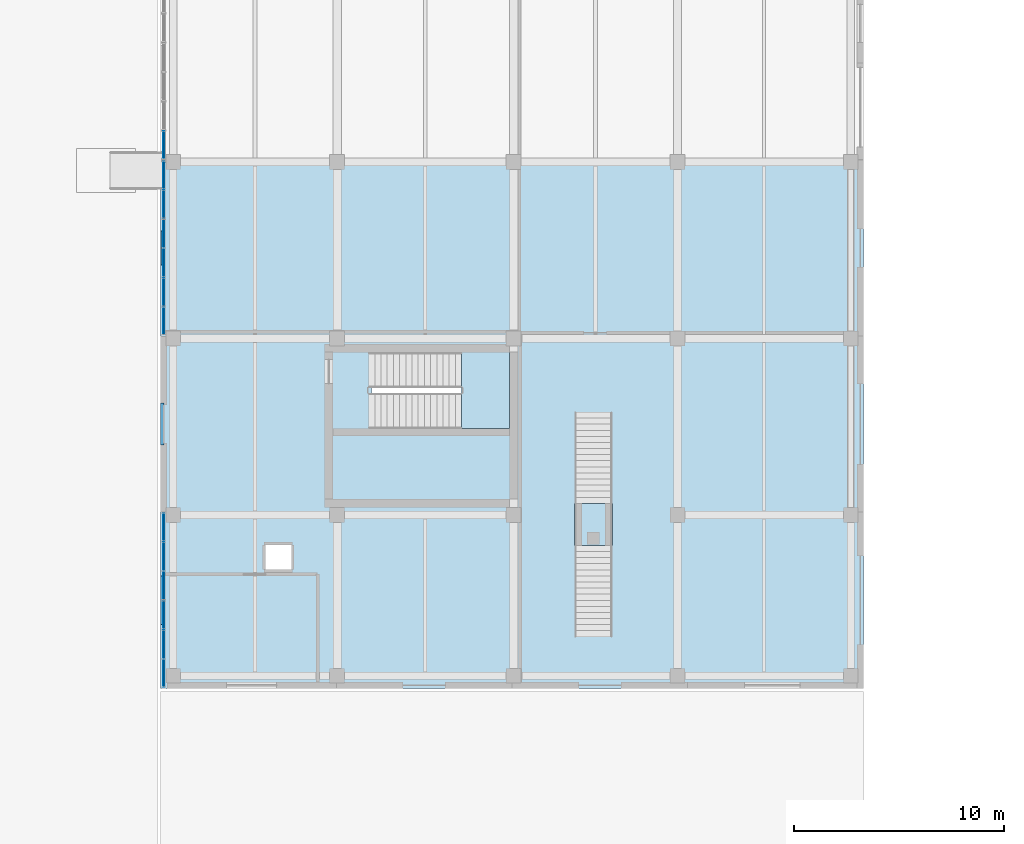
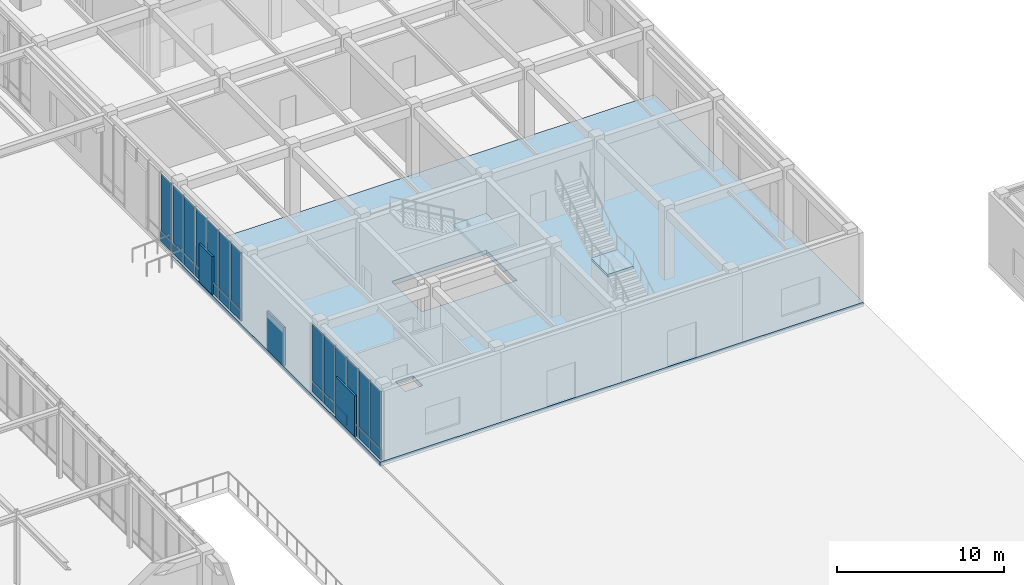
# One storey, part 82 of 122: 29 plates, 3 slabs, 5 elements without a shape of their own.
"""IFC4 building model written with IfcOpenShell, lengths in metres."""

import ifcopenshell
import ifcopenshell.guid

model = None  # the IFC model being written
_history = None  # IfcOwnerHistory: only IFC2X3 demands one
_inside = {}  # id of a spatial element -> (the spatial element, [elements in it])
_under = {}  # id of a project, library or spatial element -> (it, [spatial elements below it])
_declared = {}  # id of a project -> (the project, [libraries it declares])
_typed = {}  # id of a type object -> (the type object, [elements of that type])
_made_of = {}  # id of a material, layer set ... -> (it, [elements and type objects made of it])


def new_model(schema):
    """Start an empty IFC model of exactly this schema.

    Asked for "IFC4X3", IfcOpenShell would pick the latest addendum, in which some entities
    have other attributes; the version numbers below select the first issue.
    IFC2X3 requires an IfcOwnerHistory on every rooted entity: one is made here for all.
    """
    global model, _history
    if schema == "IFC4X3":
        model = ifcopenshell.file(schema_version=(4, 3, 0, 0))
    else:
        model = ifcopenshell.file(schema=schema)
    _inside.clear()
    _under.clear()
    _declared.clear()
    _typed.clear()
    _made_of.clear()
    _history = None
    if model.schema == "IFC2X3":
        org = make("IfcOrganization", Name="unknown")
        user = make(
            "IfcPersonAndOrganization",
            ThePerson=make("IfcPerson", FamilyName="unknown"),
            TheOrganization=org,
        )
        app = make(
            "IfcApplication",
            ApplicationDeveloper=org,
            Version="unknown",
            ApplicationFullName="unknown",
            ApplicationIdentifier="unknown",
        )
        _history = make(
            "IfcOwnerHistory",
            OwningUser=user,
            OwningApplication=app,
            ChangeAction="ADDED",
            CreationDate=0,
        )
    return model


def make(cls, **values):
    """One entity of the class cls with the attributes given. An attribute that is None is left unset."""
    return model.create_entity(
        cls, **{name: value for name, value in values.items() if value is not None}
    )


def rooted(cls, **values):
    """An entity with a GlobalId (a new one), such as an element, a storey or a relation."""
    return make(cls, GlobalId=ifcopenshell.guid.new(), OwnerHistory=_history, **values)


def si_unit(unit_type, name, prefix=None):
    """IfcSIUnit, for example si_unit("LENGTHUNIT", "METRE", prefix="MILLI")."""
    return make("IfcSIUnit", UnitType=unit_type, Prefix=prefix, Name=name)


def assignment(units):
    """IfcUnitAssignment: the units of a project."""
    return None if units is None else make("IfcUnitAssignment", Units=units)


def point(xyz):
    """IfcCartesianPoint."""
    return None if xyz is None else make("IfcCartesianPoint", Coordinates=xyz)


def direction(xyz):
    """IfcDirection."""
    return None if xyz is None else make("IfcDirection", DirectionRatios=xyz)


def frame(location, z_axis=None, x_axis=None):
    """IfcAxis2Placement3D, a coordinate frame: its origin and axes. An axis left out is left unset."""
    return make(
        "IfcAxis2Placement3D",
        Location=point(location),
        Axis=direction(z_axis),
        RefDirection=direction(x_axis),
    )


def frame_2d(location, x_axis=None):
    """IfcAxis2Placement2D, a coordinate frame in the plane: its origin and x axis."""
    return make(
        "IfcAxis2Placement2D", Location=point(location), RefDirection=direction(x_axis)
    )


def origin():
    """The frame at (0, 0, 0) with its axes left unset."""
    return frame((0.0, 0.0, 0.0))


def origin_2d():
    """The frame at (0, 0) in the plane with its x axis left unset."""
    return frame_2d((0.0, 0.0))


def place(relative_to, where):
    """IfcLocalPlacement: puts the frame where relative to a parent placement (None: the world)."""
    return make(
        "IfcLocalPlacement", PlacementRelTo=relative_to, RelativePlacement=where
    )


def context(
    kind, dimensions, precision=None, world=None, true_north=None, identifier=None
):
    """IfcGeometricRepresentationContext, for example the 3D "Model" context."""
    return make(
        "IfcGeometricRepresentationContext",
        ContextIdentifier=identifier,
        ContextType=kind,
        CoordinateSpaceDimension=dimensions,
        Precision=precision,
        WorldCoordinateSystem=world,
        TrueNorth=true_north,
    )


def subcontext(parent, identifier, kind, view, scale=None):
    """IfcGeometricRepresentationSubContext, for example "Body" below "Model"."""
    return make(
        "IfcGeometricRepresentationSubContext",
        ContextIdentifier=identifier,
        ContextType=kind,
        ParentContext=parent,
        TargetScale=scale,
        TargetView=view,
    )


def project(units=None, contexts=None):
    """IfcProject with its units and contexts."""
    return rooted(
        "IfcProject",
        Name="project",
        RepresentationContexts=contexts,
        UnitsInContext=assignment(units),
    )


def spatial(cls, under=None, at=None, **own):
    """A site, building, storey or space (cls), placed at a placement, below another one or the project."""
    s = rooted(cls, ObjectPlacement=at, **own)
    if under is not None:
        _under.setdefault(under.id(), (under, []))[1].append(s)
    return s


def polyline(points):
    """IfcPolyline through the points."""
    return make("IfcPolyline", Points=[point(p) for p in points])


def profile(cls, at=None, kind="AREA", **sizes):
    """A parametric profile (cls). Its sizes go by their IFC names, for example OverallWidth=200.0."""
    return make(cls, ProfileType=kind, Position=at, **sizes)


def rectangle(**sizes):
    """IfcRectangleProfileDef."""
    return profile("IfcRectangleProfileDef", **sizes)


def outline(outer, holes=None, kind="AREA"):
    """IfcArbitraryClosedProfileDef: a profile drawn as a closed curve; with holes, ...WithVoids."""
    if holes is None:
        return make("IfcArbitraryClosedProfileDef", ProfileType=kind, OuterCurve=outer)
    return make(
        "IfcArbitraryProfileDefWithVoids",
        ProfileType=kind,
        OuterCurve=outer,
        InnerCurves=holes,
    )


def extrude(swept, where, along, depth):
    """IfcExtrudedAreaSolid: the profile swept, set in the frame where, extruded along a direction by depth."""
    return make(
        "IfcExtrudedAreaSolid",
        SweptArea=swept,
        Position=where,
        ExtrudedDirection=direction(along),
        Depth=depth,
    )


def shape(context_of_items, identifier, shape_type, items):
    """IfcShapeRepresentation: the items that make up one representation, for example the "Body"."""
    return make(
        "IfcShapeRepresentation",
        ContextOfItems=context_of_items,
        RepresentationIdentifier=identifier,
        RepresentationType=shape_type,
        Items=items,
    )


def material(Name=None, Category=None):
    """IfcMaterial."""
    return make("IfcMaterial", Name=Name, Category=Category)


def layer(
    of_material, thickness, ventilated=None, Name=None, Category=None, Priority=None
):
    """IfcMaterialLayer: one layer of a wall or slab, of a material (None: an air gap)."""
    return make(
        "IfcMaterialLayer",
        Material=of_material,
        LayerThickness=thickness,
        IsVentilated=ventilated,
        Name=Name,
        Category=Category,
        Priority=Priority,
    )


def layer_set(layers, Name=None):
    """IfcMaterialLayerSet."""
    return make("IfcMaterialLayerSet", MaterialLayers=layers, LayerSetName=Name)


def made_of(thing, what):
    """Note that an element or type object is made of a material, layer set ...; save() writes the relation."""
    if what is not None:
        _made_of.setdefault(what.id(), (what, []))[1].append(thing)
    return thing


def type_object(cls, material=None, **own):
    """A type object (cls), such as IfcWallType, which elements share."""
    return made_of(rooted(cls, **own), material)


def element(
    cls,
    number,
    at=None,
    inside=None,
    cuts=None,
    type_object=None,
    material=None,
    context=None,
    identifier="Body",
    shape_type=None,
    held_by="IfcProductDefinitionShape",
    body=None,
    shapes=None,
    **own,
):
    """One element of the class cls, such as IfcWall. Its Tag is "e" and its number.

    at: its placement. inside: the storey or other place that contains it. cuts: it is an
    opening in that element (IfcRelVoidsElement). A single representation is given by context,
    identifier, shape_type and body (its items); several are given by shapes. held_by: the class
    of the entity that holds the representations. save() writes the other relations.
    """
    e = rooted(cls, Tag="e%d" % number, ObjectPlacement=at, **own)
    if body is not None:
        shapes = [shape(context, identifier, shape_type, body)]
    if shapes is not None:
        e.Representation = make(held_by, Representations=shapes)
    if inside is not None:
        _inside.setdefault(inside.id(), (inside, []))[1].append(e)
    if cuts is not None:
        rooted(
            "IfcRelVoidsElement", RelatingBuildingElement=cuts, RelatedOpeningElement=e
        )
    if type_object is not None:
        _typed.setdefault(type_object.id(), (type_object, []))[1].append(e)
    return made_of(e, material)


def aggregate(whole, parts):
    """IfcRelAggregates: a whole, such as a stair, and the parts it consists of."""
    return rooted("IfcRelAggregates", RelatingObject=whole, RelatedObjects=parts)


def save(model, path):
    """Write the relations noted so far, then the file.

    IfcRelAggregates (storeys below a building ...), IfcRelContainedInSpatialStructure (elements
    in a storey), IfcRelDefinesByType, IfcRelAssociatesMaterial and IfcRelDeclares: one each for
    every whole, place, type object, material and project.
    """
    for whole, parts in _under.values():
        aggregate(whole, parts)
    for where, things in _inside.values():
        rooted(
            "IfcRelContainedInSpatialStructure",
            RelatedElements=things,
            RelatingStructure=where,
        )
    for kind, things in _typed.values():
        rooted("IfcRelDefinesByType", RelatedObjects=things, RelatingType=kind)
    for what, things in _made_of.values():
        rooted("IfcRelAssociatesMaterial", RelatedObjects=things, RelatingMaterial=what)
    for by, libraries in _declared.values():
        rooted("IfcRelDeclares", RelatingContext=by, RelatedDefinitions=libraries)
    model.write(path)


model = new_model("IFC4")

# Units and contexts
model_context = context("Model", 3, precision=1e-05, world=origin(), true_north=direction((0.0, 1.0)))
body_context = subcontext(model_context, "Body", "Model", "MODEL_VIEW")
ifc_project = project(units=[si_unit("LENGTHUNIT", "METRE"), si_unit("AREAUNIT", "SQUARE_METRE"), si_unit("VOLUMEUNIT", "CUBIC_METRE"), si_unit("PLANEANGLEUNIT", "RADIAN"), si_unit("MASSUNIT", "GRAM", prefix="KILO")], contexts=[model_context])

# Site, building, storey
site_placement = place(None, origin())
site = spatial("IfcSite", under=ifc_project, at=site_placement, CompositionType="ELEMENT")
building_placement = place(site_placement, origin())
building = spatial("IfcBuilding", under=site, at=building_placement, Name="Zayran Congress Hotel", CompositionType="ELEMENT")
storey_placement = place(building_placement, origin())
storey = spatial("IfcBuildingStorey", under=building, at=storey_placement, Name="L00", CompositionType="ELEMENT", Elevation=0.0)

# Slab
ifc_material_1 = material(Name="Concrete C32/40", Category="concrete")
ifc_layer_1 = layer(ifc_material_1, 0.320068359375)
ifc_layer_set_1 = layer_set([ifc_layer_1], Name="Concrete C32/40")
slab_type_1 = type_object("IfcSlabType", Name="SL-PD-320", PredefinedType="FLOOR", material=ifc_layer_set_1)
slab_1_placement = place(storey_placement, frame((0.0, 0.0, -0.320068359375)))
element("IfcSlab", 1, at=slab_1_placement, inside=storey, type_object=slab_type_1, Name="SLB-V4-L00-017", PredefinedType="FLOOR", context=body_context, shape_type="SweptSolid", body=[
    extrude(outline(polyline([(109.199951171875, 42.550048828125), (142.64990234375, 42.550048828125), (142.64990234375, 67.60009765625), (109.199951171875, 67.60009765625), (109.199951171875, 42.550048828125)]), holes=[polyline([(119.239990234375, 54.909912109375), (125.800048828125, 54.909912109375), (125.800048828125, 58.550048828125), (119.239990234375, 58.550048828125), (119.239990234375, 54.909912109375)]), polyline([(114.199951171875, 48.199951171875), (115.419921875, 48.199951171875), (115.419921875, 49.3798828125), (114.199951171875, 49.3798828125), (114.199951171875, 48.199951171875)])]), origin(), (0.0, 0.0, 1.0), 0.320068359375),
])

# Plates
ifc_material_2 = material(Name="Ajlun reconstituted limestone claustra", Category="masonry")
ifc_layer_2 = layer(ifc_material_2, 0.14990234375)
ifc_layer_set_2 = layer_set([ifc_layer_2], Name="Ajlun reconstituted limestone claustra")
plate_type_1 = type_object("IfcPlateType", Name="TP-CLS-10", PredefinedType="USERDEFINED", material=ifc_layer_set_2)
plate_1_placement = place(storey_placement, frame((109.280029296875, 46.739990234375, 0.0), z_axis=(0.0, 0.0, 1.0), x_axis=(0.0, 1.0, 0.0)))
element("IfcPlate", 2, at=plate_1_placement, inside=storey, type_object=plate_type_1, Name="Pierced Claustra Screen 9", ObjectType="CLAUSTRA SCREEN", PredefinedType="USERDEFINED", context=body_context, shape_type="SweptSolid", body=[
    extrude(rectangle(XDim=2.300048828125, YDim=0.14990234375, at=origin_2d()), origin(), (0.0, 0.0, 1.0), 3.0),
])
ifc_layer_3 = layer(ifc_material_2, 0.14990234375)
ifc_layer_set_3 = layer_set([ifc_layer_3], Name="Ajlun reconstituted limestone claustra")
plate_type_2 = type_object("IfcPlateType", Name="TP-CLS-11", PredefinedType="USERDEFINED", material=ifc_layer_set_3)
plate_2_placement = place(storey_placement, frame((109.280029296875, 55.12109375, 0.0), z_axis=(0.0, 0.0, 1.0), x_axis=(0.0, 1.0, 0.0)))
element("IfcPlate", 3, at=plate_2_placement, inside=storey, type_object=plate_type_2, Name="Pierced Claustra Screen 10", ObjectType="CLAUSTRA SCREEN", PredefinedType="USERDEFINED", context=body_context, shape_type="SweptSolid", body=[
    extrude(rectangle(XDim=2.0, YDim=0.14990234375, at=origin_2d()), origin(), (0.0, 0.0, 1.0), 2.800048828125),
])
ifc_layer_4 = layer(ifc_material_2, 0.1201171875)
ifc_layer_set_4 = layer_set([ifc_layer_4], Name="Ajlun reconstituted limestone claustra")
plate_type_3 = type_object("IfcPlateType", Name="TP-CLS-12", PredefinedType="USERDEFINED", material=ifc_layer_set_4)
plate_3_placement = place(storey_placement, frame((109.280029296875, 63.5029296875, 0.0), z_axis=(0.0, 0.0, 1.0), x_axis=(0.0, 1.0, 0.0)))
element("IfcPlate", 4, at=plate_3_placement, inside=storey, type_object=plate_type_3, Name="Pierced Claustra Screen 11", ObjectType="CLAUSTRA SCREEN", PredefinedType="USERDEFINED", context=body_context, shape_type="SweptSolid", body=[
    extrude(rectangle(XDim=1.60009765625, YDim=0.1201171875, at=origin_2d()), origin(), (0.0, 0.0, 1.0), 2.800048828125),
])

# Curtain wall, plates
ifc_material_3 = material(Name="Anodised aluminium and low-E insulated glass", Category="aluminium")
ifc_layer_5 = layer(ifc_material_3, 0.179931640625)
ifc_layer_set_5 = layer_set([ifc_layer_5], Name="Anodised aluminium and low-E insulated glass")
curtain_wall_type_1 = type_object("IfcCurtainWallType", Name="CW-V4W-L00-CW-51-8381-5100", PredefinedType="USERDEFINED", material=ifc_layer_set_5)
curtain_wall_1_placement = place(storey_placement, origin())
curtain_wall_1 = element("IfcCurtainWall", 5, at=curtain_wall_1_placement, inside=storey, type_object=curtain_wall_type_1, Name="CW-V4W-L00-0", ObjectType="CURTAIN WALL", PredefinedType="USERDEFINED")
ifc_material_4 = material(Name="Insulated warm bronze aluminium spandrel panel", Category="aluminium")
ifc_layer_6 = layer(ifc_material_4, 0.06005859375)
ifc_layer_set_6 = layer_set([ifc_layer_6], Name="Insulated warm bronze aluminium spandrel panel")
plate_type_4 = type_object("IfcPlateType", Name="CWP-SP-1277-750", PredefinedType="CURTAIN_PANEL", material=ifc_layer_set_6)
plate_4_placement = place(storey_placement, frame((109.35009765625, 50.212646484375, 0.06005859375), z_axis=(0.0, 0.0, 1.0), x_axis=(0.0, 1.0, 0.0)))
plate_4 = element("IfcPlate", 6, at=plate_4_placement, type_object=plate_type_4, Name="CW-51 Spandrel Panel 1", PredefinedType="CURTAIN_PANEL", context=body_context, shape_type="SweptSolid", body=[
    extrude(rectangle(XDim=1.27685546875, YDim=0.06005859375, at=origin_2d()), origin(), (0.0, 0.0, 1.0), 0.75),
])
plate_5_placement = place(storey_placement, frame((109.35009765625, 48.835693359375, 0.06005859375), z_axis=(0.0, 0.0, 1.0), x_axis=(0.0, 1.0, 0.0)))
plate_5 = element("IfcPlate", 7, at=plate_5_placement, type_object=plate_type_4, Name="CW-51 Spandrel Panel 2", PredefinedType="CURTAIN_PANEL", context=body_context, shape_type="SweptSolid", body=[
    extrude(rectangle(XDim=1.31689453125, YDim=0.06005859375, at=origin_2d()), origin(), (0.0, 0.0, 1.0), 0.75),
])
plate_6_placement = place(storey_placement, frame((109.35009765625, 47.43896484375, 0.06005859375), z_axis=(0.0, 0.0, 1.0), x_axis=(0.0, 1.0, 0.0)))
plate_6 = element("IfcPlate", 8, at=plate_6_placement, type_object=plate_type_4, Name="CW-51 Spandrel Panel 3", PredefinedType="CURTAIN_PANEL", context=body_context, shape_type="SweptSolid", body=[
    extrude(rectangle(XDim=1.31689453125, YDim=0.06005859375, at=origin_2d()), origin(), (0.0, 0.0, 1.0), 0.75),
])
plate_7_placement = place(storey_placement, frame((109.35009765625, 46.0419921875, 0.06005859375), z_axis=(0.0, 0.0, 1.0), x_axis=(0.0, 1.0, 0.0)))
plate_7 = element("IfcPlate", 9, at=plate_7_placement, type_object=plate_type_4, Name="CW-51 Spandrel Panel 4", PredefinedType="CURTAIN_PANEL", context=body_context, shape_type="SweptSolid", body=[
    extrude(rectangle(XDim=1.31689453125, YDim=0.06005859375, at=origin_2d()), origin(), (0.0, 0.0, 1.0), 0.75),
])
plate_8_placement = place(storey_placement, frame((109.35009765625, 44.645263671875, 0.06005859375), z_axis=(0.0, 0.0, 1.0), x_axis=(0.0, 1.0, 0.0)))
plate_8 = element("IfcPlate", 10, at=plate_8_placement, type_object=plate_type_4, Name="CW-51 Spandrel Panel 5", PredefinedType="CURTAIN_PANEL", context=body_context, shape_type="SweptSolid", body=[
    extrude(rectangle(XDim=1.31689453125, YDim=0.06005859375, at=origin_2d()), origin(), (0.0, 0.0, 1.0), 0.75),
])
plate_9_placement = place(storey_placement, frame((109.35009765625, 43.268310546875, 0.06005859375), z_axis=(0.0, 0.0, 1.0), x_axis=(0.0, 1.0, 0.0)))
plate_9 = element("IfcPlate", 11, at=plate_9_placement, type_object=plate_type_4, Name="CW-51 Spandrel Panel 6", PredefinedType="CURTAIN_PANEL", context=body_context, shape_type="SweptSolid", body=[
    extrude(rectangle(XDim=1.27685546875, YDim=0.06005859375, at=origin_2d()), origin(), (0.0, 0.0, 1.0), 0.75),
])
ifc_layer_7 = layer(ifc_material_3, 0.028076171875)
ifc_layer_set_7 = layer_set([ifc_layer_7], Name="Anodised aluminium and low-E insulated glass")
plate_type_5 = type_object("IfcPlateType", Name="CWP-GL-1277-4170", PredefinedType="CURTAIN_PANEL", material=ifc_layer_set_7)
plate_10_placement = place(storey_placement, frame((109.35009765625, 50.212646484375, 0.8701171875), z_axis=(0.0, 0.0, 1.0), x_axis=(0.0, 1.0, 0.0)))
plate_10 = element("IfcPlate", 12, at=plate_10_placement, type_object=plate_type_5, Name="CW-51 Glazed Panel 1", PredefinedType="CURTAIN_PANEL", context=body_context, shape_type="SweptSolid", body=[
    extrude(rectangle(XDim=1.27685546875, YDim=0.028076171875, at=origin_2d()), origin(), (0.0, 0.0, 1.0), 4.169921875),
])
plate_11_placement = place(storey_placement, frame((109.35009765625, 48.835693359375, 0.8701171875), z_axis=(0.0, 0.0, 1.0), x_axis=(0.0, 1.0, 0.0)))
plate_11 = element("IfcPlate", 13, at=plate_11_placement, type_object=plate_type_5, Name="CW-51 Glazed Panel 2", PredefinedType="CURTAIN_PANEL", context=body_context, shape_type="SweptSolid", body=[
    extrude(rectangle(XDim=1.31689453125, YDim=0.028076171875, at=origin_2d()), origin(), (0.0, 0.0, 1.0), 4.169921875),
])
plate_12_placement = place(storey_placement, frame((109.35009765625, 47.43896484375, 0.8701171875), z_axis=(0.0, 0.0, 1.0), x_axis=(0.0, 1.0, 0.0)))
plate_12 = element("IfcPlate", 14, at=plate_12_placement, type_object=plate_type_5, Name="CW-51 Glazed Panel 3", PredefinedType="CURTAIN_PANEL", context=body_context, shape_type="SweptSolid", body=[
    extrude(rectangle(XDim=1.31689453125, YDim=0.028076171875, at=origin_2d()), origin(), (0.0, 0.0, 1.0), 4.169921875),
])
plate_13_placement = place(storey_placement, frame((109.35009765625, 46.0419921875, 0.8701171875), z_axis=(0.0, 0.0, 1.0), x_axis=(0.0, 1.0, 0.0)))
plate_13 = element("IfcPlate", 15, at=plate_13_placement, type_object=plate_type_5, Name="CW-51 Glazed Panel 4", PredefinedType="CURTAIN_PANEL", context=body_context, shape_type="SweptSolid", body=[
    extrude(rectangle(XDim=1.31689453125, YDim=0.028076171875, at=origin_2d()), origin(), (0.0, 0.0, 1.0), 4.169921875),
])
plate_14_placement = place(storey_placement, frame((109.35009765625, 44.645263671875, 0.8701171875), z_axis=(0.0, 0.0, 1.0), x_axis=(0.0, 1.0, 0.0)))
plate_14 = element("IfcPlate", 16, at=plate_14_placement, type_object=plate_type_5, Name="CW-51 Glazed Panel 5", PredefinedType="CURTAIN_PANEL", context=body_context, shape_type="SweptSolid", body=[
    extrude(rectangle(XDim=1.31689453125, YDim=0.028076171875, at=origin_2d()), origin(), (0.0, 0.0, 1.0), 4.169921875),
])
plate_15_placement = place(storey_placement, frame((109.35009765625, 43.268310546875, 0.8701171875), z_axis=(0.0, 0.0, 1.0), x_axis=(0.0, 1.0, 0.0)))
plate_15 = element("IfcPlate", 17, at=plate_15_placement, type_object=plate_type_5, Name="CW-51 Glazed Panel 6", PredefinedType="CURTAIN_PANEL", context=body_context, shape_type="SweptSolid", body=[
    extrude(rectangle(XDim=1.27685546875, YDim=0.028076171875, at=origin_2d()), origin(), (0.0, 0.0, 1.0), 4.169921875),
])
aggregate(curtain_wall_1, [plate_4, plate_10, plate_5, plate_11, plate_6, plate_12, plate_7, plate_13, plate_8, plate_14, plate_9, plate_15])

ifc_layer_8 = layer(ifc_material_3, 0.179931640625)
ifc_layer_set_8 = layer_set([ifc_layer_8], Name="Anodised aluminium and low-E insulated glass")
curtain_wall_type_2 = type_object("IfcCurtainWallType", Name="CW-V4W-L00-CW-53-8377-5100", PredefinedType="USERDEFINED", material=ifc_layer_set_8)
curtain_wall_2_placement = place(storey_placement, origin())
curtain_wall_2 = element("IfcCurtainWall", 18, at=curtain_wall_2_placement, inside=storey, type_object=curtain_wall_type_2, Name="CW-V4W-L00-2", ObjectType="CURTAIN WALL", PredefinedType="USERDEFINED")
ifc_layer_9 = layer(ifc_material_3, 0.028076171875)
ifc_layer_set_9 = layer_set([ifc_layer_9], Name="Anodised aluminium and low-E insulated glass")
plate_type_6 = type_object("IfcPlateType", Name="CWP-GL-1276-4170", PredefinedType="CURTAIN_PANEL", material=ifc_layer_set_9)
plate_16_placement = place(storey_placement, frame((109.35009765625, 66.970947265625, 0.8701171875), z_axis=(0.0, 0.0, 1.0), x_axis=(0.0, 1.0, 0.0)))
plate_16 = element("IfcPlate", 19, at=plate_16_placement, type_object=plate_type_6, Name="CW-53 Glazed Panel 1", PredefinedType="CURTAIN_PANEL", context=body_context, shape_type="SweptSolid", body=[
    extrude(rectangle(XDim=1.276123046875, YDim=0.028076171875, at=origin_2d()), origin(), (0.0, 0.0, 1.0), 4.169921875),
])
plate_17_placement = place(storey_placement, frame((109.35009765625, 65.5947265625, 0.8701171875), z_axis=(0.0, 0.0, 1.0), x_axis=(0.0, 1.0, 0.0)))
plate_17 = element("IfcPlate", 20, at=plate_17_placement, type_object=plate_type_6, Name="CW-53 Glazed Panel 2", PredefinedType="CURTAIN_PANEL", context=body_context, shape_type="SweptSolid", body=[
    extrude(rectangle(XDim=1.316162109375, YDim=0.028076171875, at=origin_2d()), origin(), (0.0, 0.0, 1.0), 4.169921875),
])
plate_18_placement = place(storey_placement, frame((109.35009765625, 64.198486328125, 0.8701171875), z_axis=(0.0, 0.0, 1.0), x_axis=(0.0, 1.0, 0.0)))
plate_18 = element("IfcPlate", 21, at=plate_18_placement, type_object=plate_type_6, Name="CW-53 Glazed Panel 3", PredefinedType="CURTAIN_PANEL", context=body_context, shape_type="SweptSolid", body=[
    extrude(rectangle(XDim=1.316162109375, YDim=0.028076171875, at=origin_2d()), origin(), (0.0, 0.0, 1.0), 4.169921875),
])
plate_19_placement = place(storey_placement, frame((109.35009765625, 62.802490234375, 0.8701171875), z_axis=(0.0, 0.0, 1.0), x_axis=(0.0, 1.0, 0.0)))
plate_19 = element("IfcPlate", 22, at=plate_19_placement, type_object=plate_type_6, Name="CW-53 Glazed Panel 4", PredefinedType="CURTAIN_PANEL", context=body_context, shape_type="SweptSolid", body=[
    extrude(rectangle(XDim=1.316162109375, YDim=0.028076171875, at=origin_2d()), origin(), (0.0, 0.0, 1.0), 4.169921875),
])
plate_20_placement = place(storey_placement, frame((109.35009765625, 61.40625, 0.8701171875), z_axis=(0.0, 0.0, 1.0), x_axis=(0.0, 1.0, 0.0)))
plate_20 = element("IfcPlate", 23, at=plate_20_placement, type_object=plate_type_6, Name="CW-53 Glazed Panel 5", PredefinedType="CURTAIN_PANEL", context=body_context, shape_type="SweptSolid", body=[
    extrude(rectangle(XDim=1.316162109375, YDim=0.028076171875, at=origin_2d()), origin(), (0.0, 0.0, 1.0), 4.169921875),
])
plate_21_placement = place(storey_placement, frame((109.35009765625, 60.030029296875, 0.8701171875), z_axis=(0.0, 0.0, 1.0), x_axis=(0.0, 1.0, 0.0)))
plate_21 = element("IfcPlate", 24, at=plate_21_placement, type_object=plate_type_6, Name="CW-53 Glazed Panel 6", PredefinedType="CURTAIN_PANEL", context=body_context, shape_type="SweptSolid", body=[
    extrude(rectangle(XDim=1.276123046875, YDim=0.028076171875, at=origin_2d()), origin(), (0.0, 0.0, 1.0), 4.169921875),
])

# Curtain wall, plate
ifc_layer_10 = layer(ifc_material_3, 0.179931640625)
ifc_layer_set_10 = layer_set([ifc_layer_10], Name="Anodised aluminium and low-E insulated glass")
curtain_wall_type_3 = type_object("IfcCurtainWallType", Name="CW-V4W-L00-CW-51-8376-5100", PredefinedType="USERDEFINED", material=ifc_layer_set_10)
curtain_wall_3_placement = place(storey_placement, origin())
curtain_wall_3 = element("IfcCurtainWall", 25, at=curtain_wall_3_placement, inside=storey, type_object=curtain_wall_type_3, Name="CW-V4W-L00-3", ObjectType="CURTAIN WALL", PredefinedType="USERDEFINED")
plate_22_placement = place(storey_placement, frame((109.35009765625, 68.4169921875, 0.8701171875), z_axis=(0.0, 0.0, 1.0), x_axis=(0.0, 1.0, 0.0)))
plate_22 = element("IfcPlate", 26, at=plate_22_placement, type_object=plate_type_6, Name="CW-51 Glazed Panel 6", PredefinedType="CURTAIN_PANEL", context=body_context, shape_type="SweptSolid", body=[
    extrude(rectangle(XDim=1.27587890625, YDim=0.028076171875, at=origin_2d()), origin(), (0.0, 0.0, 1.0), 4.169921875),
])

# Plate
ifc_layer_11 = layer(ifc_material_4, 0.06005859375)
ifc_layer_set_11 = layer_set([ifc_layer_11], Name="Insulated warm bronze aluminium spandrel panel")
plate_type_7 = type_object("IfcPlateType", Name="CWP-SP-1276-750", PredefinedType="CURTAIN_PANEL", material=ifc_layer_set_11)
plate_23_placement = place(storey_placement, frame((109.35009765625, 66.970947265625, 0.06005859375), z_axis=(0.0, 0.0, 1.0), x_axis=(0.0, 1.0, 0.0)))
plate_23 = element("IfcPlate", 27, at=plate_23_placement, type_object=plate_type_7, Name="CW-53 Spandrel Panel 1", PredefinedType="CURTAIN_PANEL", context=body_context, shape_type="SweptSolid", body=[
    extrude(rectangle(XDim=1.276123046875, YDim=0.06005859375, at=origin_2d()), origin(), (0.0, 0.0, 1.0), 0.75),
])

plate_24_placement = place(storey_placement, frame((109.35009765625, 65.5947265625, 0.06005859375), z_axis=(0.0, 0.0, 1.0), x_axis=(0.0, 1.0, 0.0)))
plate_24 = element("IfcPlate", 28, at=plate_24_placement, type_object=plate_type_7, Name="CW-53 Spandrel Panel 2", PredefinedType="CURTAIN_PANEL", context=body_context, shape_type="SweptSolid", body=[
    extrude(rectangle(XDim=1.316162109375, YDim=0.06005859375, at=origin_2d()), origin(), (0.0, 0.0, 1.0), 0.75),
])

plate_25_placement = place(storey_placement, frame((109.35009765625, 64.198486328125, 0.06005859375), z_axis=(0.0, 0.0, 1.0), x_axis=(0.0, 1.0, 0.0)))
plate_25 = element("IfcPlate", 29, at=plate_25_placement, type_object=plate_type_7, Name="CW-53 Spandrel Panel 3", PredefinedType="CURTAIN_PANEL", context=body_context, shape_type="SweptSolid", body=[
    extrude(rectangle(XDim=1.316162109375, YDim=0.06005859375, at=origin_2d()), origin(), (0.0, 0.0, 1.0), 0.75),
])

plate_26_placement = place(storey_placement, frame((109.35009765625, 62.802490234375, 0.06005859375), z_axis=(0.0, 0.0, 1.0), x_axis=(0.0, 1.0, 0.0)))
plate_26 = element("IfcPlate", 30, at=plate_26_placement, type_object=plate_type_7, Name="CW-53 Spandrel Panel 4", PredefinedType="CURTAIN_PANEL", context=body_context, shape_type="SweptSolid", body=[
    extrude(rectangle(XDim=1.316162109375, YDim=0.06005859375, at=origin_2d()), origin(), (0.0, 0.0, 1.0), 0.75),
])

plate_27_placement = place(storey_placement, frame((109.35009765625, 61.40625, 0.06005859375), z_axis=(0.0, 0.0, 1.0), x_axis=(0.0, 1.0, 0.0)))
plate_27 = element("IfcPlate", 31, at=plate_27_placement, type_object=plate_type_7, Name="CW-53 Spandrel Panel 5", PredefinedType="CURTAIN_PANEL", context=body_context, shape_type="SweptSolid", body=[
    extrude(rectangle(XDim=1.316162109375, YDim=0.06005859375, at=origin_2d()), origin(), (0.0, 0.0, 1.0), 0.75),
])

plate_28_placement = place(storey_placement, frame((109.35009765625, 60.030029296875, 0.06005859375), z_axis=(0.0, 0.0, 1.0), x_axis=(0.0, 1.0, 0.0)))
plate_28 = element("IfcPlate", 32, at=plate_28_placement, type_object=plate_type_7, Name="CW-53 Spandrel Panel 6", PredefinedType="CURTAIN_PANEL", context=body_context, shape_type="SweptSolid", body=[
    extrude(rectangle(XDim=1.276123046875, YDim=0.06005859375, at=origin_2d()), origin(), (0.0, 0.0, 1.0), 0.75),
])

aggregate(curtain_wall_2, [plate_23, plate_16, plate_24, plate_17, plate_25, plate_18, plate_26, plate_19, plate_27, plate_20, plate_28, plate_21])

plate_29_placement = place(storey_placement, frame((109.35009765625, 68.4169921875, 0.06005859375), z_axis=(0.0, 0.0, 1.0), x_axis=(0.0, 1.0, 0.0)))
plate_29 = element("IfcPlate", 33, at=plate_29_placement, type_object=plate_type_7, Name="CW-51 Spandrel Panel 6", PredefinedType="CURTAIN_PANEL", context=body_context, shape_type="SweptSolid", body=[
    extrude(rectangle(XDim=1.27587890625, YDim=0.06005859375, at=origin_2d()), origin(), (0.0, 0.0, 1.0), 0.75),
])

aggregate(curtain_wall_3, [plate_29, plate_22])

# Stair, slab
stair_type_1 = type_object("IfcStairType", Name="TP-STR-VOM", PredefinedType="STRAIGHT_RUN_STAIR", material=ifc_material_1)
stair_1_placement = place(storey_placement, origin())
stair_1 = element("IfcStair", 34, at=stair_1_placement, inside=storey, type_object=stair_type_1, Name="Straight Run Concourse Stair ST-BRK-06", PredefinedType="STRAIGHT_RUN_STAIR")
ifc_layer_12 = layer(ifc_material_1, 0.199951171875)
ifc_layer_set_12 = layer_set([ifc_layer_12], Name="Concrete C32/40")
slab_type_2 = type_object("IfcSlabType", Name="TP-LND-1600", PredefinedType="LANDING", material=ifc_layer_set_12)
slab_2_placement = place(storey_placement, frame((0.0, 0.0, 2.5)))
slab_2 = element("IfcSlab", 35, at=slab_2_placement, type_object=slab_type_2, Name="ST-BRK-06 landing 1", PredefinedType="LANDING", context=body_context, shape_type="SweptSolid", body=[
    extrude(outline(polyline([(130.699951171875, 49.35009765625), (130.699951171875, 51.35009765625), (128.89990234375, 51.35009765625), (128.89990234375, 49.35009765625), (130.699951171875, 49.35009765625)])), origin(), (0.0, 0.0, 1.0), 0.199951171875),
])
aggregate(stair_1, [slab_2])

stair_type_2 = type_object("IfcStairType", Name="TP-STR-1700-54", PredefinedType="USERDEFINED", material=ifc_material_1)
stair_2_placement = place(storey_placement, origin())
stair_2 = element("IfcStair", 36, at=stair_2_placement, inside=storey, type_object=stair_type_2, Name="L00 ST-08", ObjectType="TWO_RETURN_STAIR", PredefinedType="USERDEFINED")
ifc_layer_13 = layer(ifc_material_1, 0.199951171875)
ifc_layer_set_13 = layer_set([ifc_layer_13], Name="Concrete C32/40")
slab_type_3 = type_object("IfcSlabType", Name="TP-LND-1700", PredefinedType="LANDING", material=ifc_layer_set_13)
slab_3_placement = place(storey_placement, frame((0.0, 0.0, 2.5)))
slab_3 = element("IfcSlab", 37, at=slab_3_placement, type_object=slab_type_3, Name="ST-08 landing 1", PredefinedType="LANDING", context=body_context, shape_type="SweptSolid", body=[
    extrude(outline(polyline([(123.52490234375, 54.909912109375), (125.800048828125, 54.909912109375), (125.800048828125, 58.550048828125), (123.52490234375, 58.550048828125), (123.52490234375, 54.909912109375)])), origin(), (0.0, 0.0, 1.0), 0.199951171875),
])
aggregate(stair_2, [slab_3])

save(model, "model.ifc")
